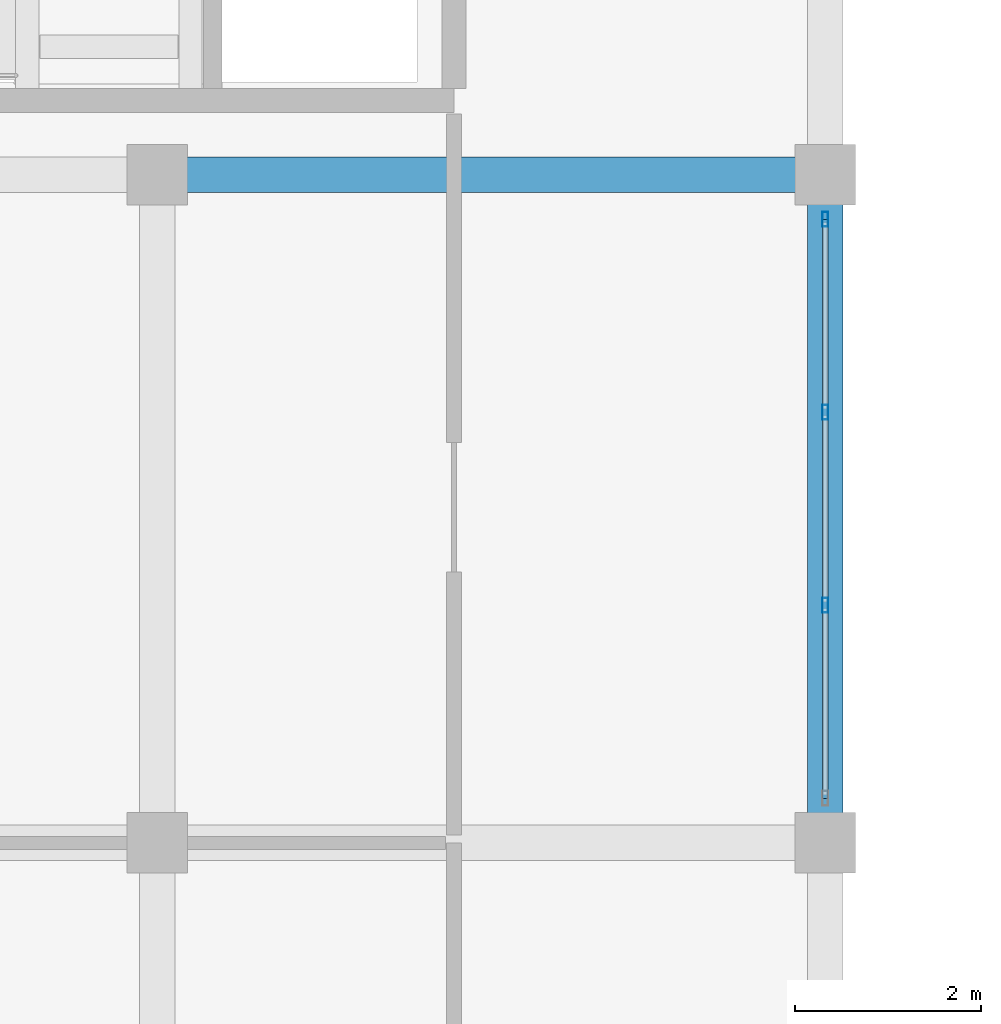
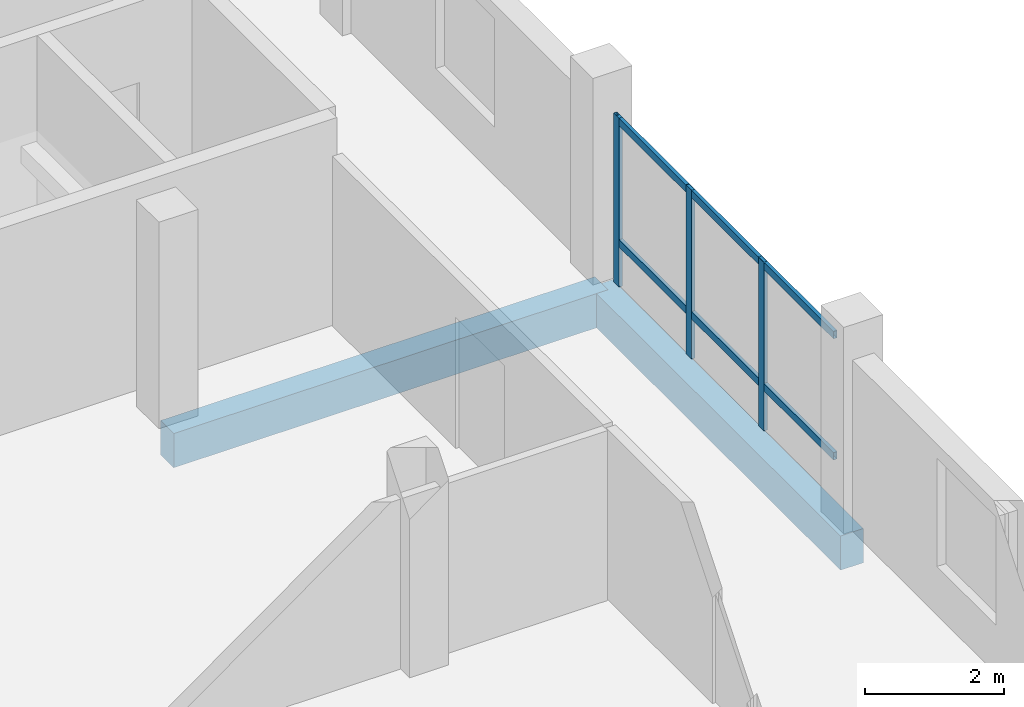
# One storey, part 9 of 93: 5 members, 2 beams, 1 element without a shape of its own.
"""IFC4 building model written with IfcOpenShell, lengths in metres."""

from ifc_helpers import new_model, si_unit, direction, frame, origin, origin_2d, place, context, subcontext, project, spatial, rectangle, hollow_rectangle, extrude, material, material_profile, profile_set, type_object, element, aggregate, save


model = new_model("IFC4")

# Units and contexts
model_context = context("Model", 3, precision=1e-05, world=origin(), true_north=direction((0.0, 1.0)))
body_context = subcontext(model_context, "Body", "Model", "MODEL_VIEW")
ifc_project = project(units=[si_unit("LENGTHUNIT", "METRE"), si_unit("AREAUNIT", "SQUARE_METRE"), si_unit("VOLUMEUNIT", "CUBIC_METRE"), si_unit("PLANEANGLEUNIT", "RADIAN"), si_unit("MASSUNIT", "GRAM", prefix="KILO")], contexts=[model_context])

# Site, building, storey
site_placement = place(None, origin())
site = spatial("IfcSite", under=ifc_project, at=site_placement, CompositionType="ELEMENT")
building_placement = place(site_placement, origin())
building = spatial("IfcBuilding", under=site, at=building_placement, Name="Zornivar Specialist Clinic", CompositionType="ELEMENT")
storey_placement = place(building_placement, frame((0.0, 0.0, 8.39990234375)))
storey = spatial("IfcBuildingStorey", under=building, at=storey_placement, Name="L02", CompositionType="ELEMENT", Elevation=8.39990234375)

# Beams
ifc_material_1 = material(Name="Concrete C30/37", Category="concrete")
ifc_material_profile_1 = material_profile(ifc_material_1, rectangle(XDim=0.3798828125, YDim=0.60009765625, at=origin_2d()), Name="RC 380x600")
ifc_profile_set_1 = profile_set([ifc_material_profile_1], Name="Concrete C30/37")
beam_type = type_object("IfcBeamType", Name="BM-RC-380x600", PredefinedType="BEAM", material=ifc_profile_set_1)
for number, where, z_axis, x_axis, name in (
    (1, (7.199951171875, 36.0, -0.579833984375), (1.0, 0.0, 0.0), (0.0, 1.0, 0.0), "bm:V2:L02:x:360:1"),
    (2, (14.39990234375, 28.800048828125, -0.579833984375), (0.0, 1.0, 0.0), (-1.0, 0.0, 0.0), "bm:V2:L02:y:144:4"),
):
    element("IfcBeam", number, at=place(storey_placement, frame(where, z_axis=z_axis, x_axis=x_axis)), inside=storey, type_object=beam_type, Name=name, PredefinedType="BEAM", context=body_context, shape_type="SweptSolid", body=[
        extrude(rectangle(XDim=0.3798828125, YDim=0.60009765625, at=origin_2d()), origin(), (0.0, 0.0, 1.0), 7.199951171875),
    ])

# Curtain wall, members
ifc_material_2 = material(Name="Aluminium and Low-E Glass Curtain Wall", Category="aluminium")
curtain_wall_type = type_object("IfcCurtainWallType", Name="CW-REVAK-COURT", PredefinedType="NOTDEFINED", material=ifc_material_2)
curtain_wall_placement = place(storey_placement, origin())
curtain_wall = element("IfcCurtainWall", 3, at=curtain_wall_placement, inside=storey, type_object=curtain_wall_type, Name="cw:V2:L02:16", PredefinedType="NOTDEFINED")
ifc_material_3 = material(Name="Aluminium AW-6060", Category="aluminium")
ifc_material_profile_2 = material_profile(ifc_material_3, hollow_rectangle(XDim=0.06005859375, YDim=0.159912109375, WallThickness=0.00390625, at=origin_2d()), Name="ALU 60x160x4")
ifc_profile_set_2 = profile_set([ifc_material_profile_2], Name="Aluminium AW-6060")
member_type_1 = type_object("IfcMemberType", Name="CWM-MUL-160", PredefinedType="MULLION", material=ifc_profile_set_2)
member_1_placement = place(storey_placement, frame((14.39990234375, 31.360107421875, 0.0), z_axis=(0.0, 0.0, 1.0), x_axis=(1.0, 0.0, 0.0)))
member_1 = element("IfcMember", 4, at=member_1_placement, type_object=member_type_1, Name="cw:V2:L02:16:mul:1", PredefinedType="MULLION", context=body_context, shape_type="SweptSolid", body=[
    extrude(hollow_rectangle(XDim=0.06005859375, YDim=0.159912109375, WallThickness=0.00390625, at=origin_2d()), origin(), (0.0, 0.0, 1.0), 2.960205078125),
])
member_2_placement = place(storey_placement, frame((14.39990234375, 33.43994140625, 0.0), z_axis=(0.0, 0.0, 1.0), x_axis=(1.0, 0.0, 0.0)))
member_2 = element("IfcMember", 5, at=member_2_placement, type_object=member_type_1, Name="cw:V2:L02:16:mul:2", PredefinedType="MULLION", context=body_context, shape_type="SweptSolid", body=[
    extrude(hollow_rectangle(XDim=0.06005859375, YDim=0.159912109375, WallThickness=0.00390625, at=origin_2d()), origin(), (0.0, 0.0, 1.0), 2.960205078125),
])
member_3_placement = place(storey_placement, frame((14.39990234375, 35.52001953125, 0.0), z_axis=(0.0, 0.0, 1.0), x_axis=(1.0, 0.0, 0.0)))
member_3 = element("IfcMember", 6, at=member_3_placement, type_object=member_type_1, Name="cw:V2:L02:16:mul:3", PredefinedType="MULLION", context=body_context, shape_type="SweptSolid", body=[
    extrude(hollow_rectangle(XDim=0.06005859375, YDim=0.159912109375, WallThickness=0.00390625, at=origin_2d()), origin(), (0.0, 0.0, 1.0), 2.960205078125),
])
ifc_material_4 = material(Name="Aluminium AW-6060", Category="aluminium")
ifc_material_profile_3 = material_profile(ifc_material_4, hollow_rectangle(XDim=0.06005859375, YDim=0.1298828125, WallThickness=0.00390625, at=origin_2d()), Name="ALU 60x130x4")
ifc_profile_set_3 = profile_set([ifc_material_profile_3], Name="Aluminium AW-6060")
member_type_2 = type_object("IfcMemberType", Name="CWM-TRN-130", PredefinedType="USERDEFINED", material=ifc_profile_set_3)
member_4_placement = place(storey_placement, frame((14.39990234375, 29.280029296875, 0.77001953125), z_axis=(0.0, 1.0, 0.0), x_axis=(-1.0, 0.0, 0.0)))
member_4 = element("IfcMember", 7, at=member_4_placement, type_object=member_type_2, Name="cw:V2:L02:16:trn:0", ObjectType="TRANSOM", PredefinedType="USERDEFINED", context=body_context, shape_type="SweptSolid", body=[
    extrude(hollow_rectangle(XDim=0.06005859375, YDim=0.1298828125, WallThickness=0.00390625, at=origin_2d()), origin(), (0.0, 0.0, 1.0), 6.239990234375),
])
member_5_placement = place(storey_placement, frame((14.39990234375, 29.280029296875, 2.89501953125), z_axis=(0.0, 1.0, 0.0), x_axis=(-1.0, 0.0, 0.0)))
member_5 = element("IfcMember", 8, at=member_5_placement, type_object=member_type_2, Name="cw:V2:L02:16:trn:1", ObjectType="TRANSOM", PredefinedType="USERDEFINED", context=body_context, shape_type="SweptSolid", body=[
    extrude(hollow_rectangle(XDim=0.06005859375, YDim=0.1298828125, WallThickness=0.00390625, at=origin_2d()), origin(), (0.0, 0.0, 1.0), 6.239990234375),
])
aggregate(curtain_wall, [member_1, member_2, member_3, member_4, member_5])

save(model, "model.ifc")
